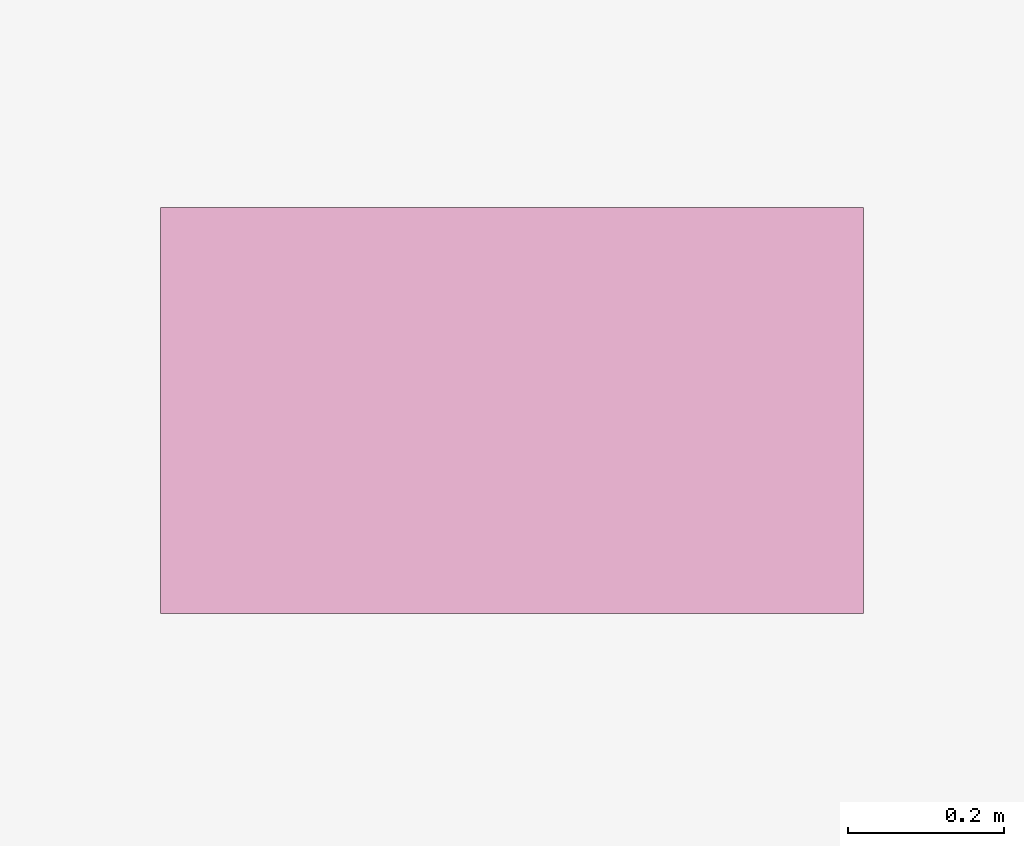
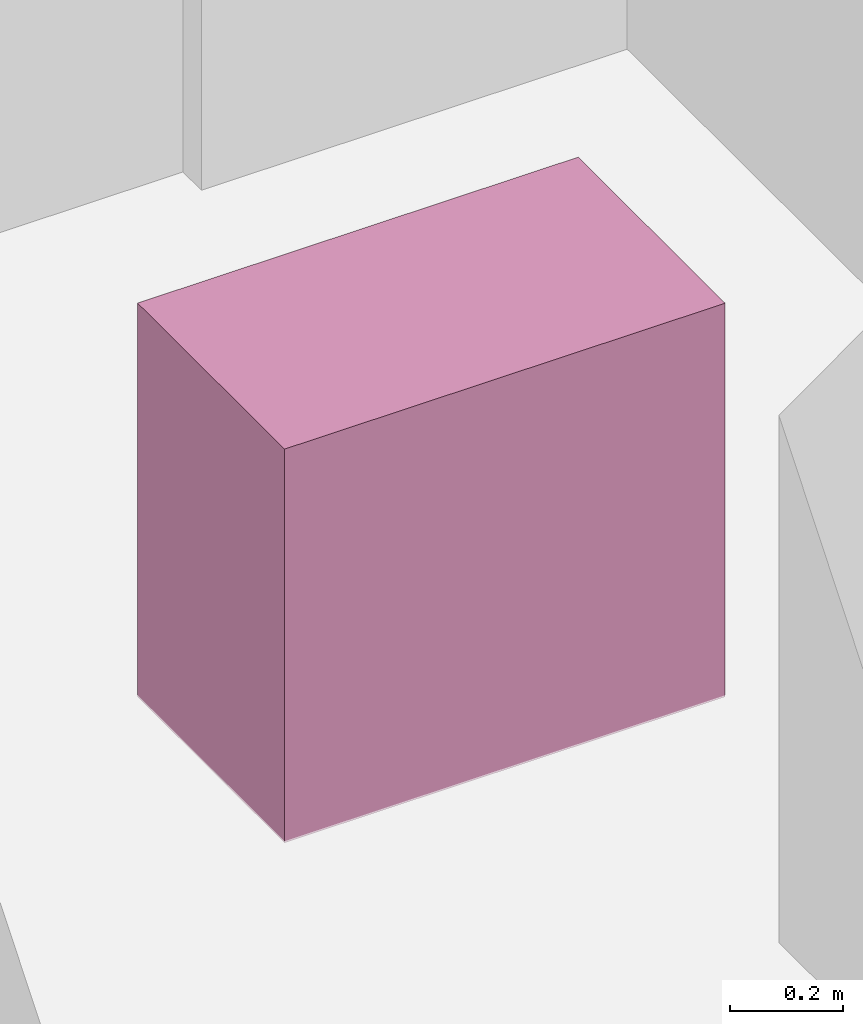
# One storey, part 28 of 28: 1 furnishing.
"""IFC4 building model written with IfcOpenShell, lengths in metres."""

from ifc_helpers import new_model, si_unit, direction, frame, origin, origin_2d, place, context, subcontext, project, spatial, rectangle, extrude, material, type_object, element, save


model = new_model("IFC4")

# Units and contexts
model_context = context("Model", 3, precision=1e-05, world=origin(), true_north=direction((0.0, 1.0)))
body_context = subcontext(model_context, "Body", "Model", "MODEL_VIEW")
ifc_project = project(units=[si_unit("LENGTHUNIT", "METRE"), si_unit("AREAUNIT", "SQUARE_METRE"), si_unit("VOLUMEUNIT", "CUBIC_METRE"), si_unit("PLANEANGLEUNIT", "RADIAN"), si_unit("MASSUNIT", "GRAM", prefix="KILO")], contexts=[model_context])

# Site, building, storey
site_placement = place(None, origin())
site = spatial("IfcSite", under=ifc_project, at=site_placement, CompositionType="ELEMENT")
building_placement = place(site_placement, origin())
building = spatial("IfcBuilding", under=site, at=building_placement, Name="Vorneva Point Tower", CompositionType="ELEMENT")
storey_placement = place(building_placement, frame((0.0, 0.0, 143.10009765625)))
storey = spatial("IfcBuildingStorey", under=building, at=storey_placement, Name="L38", CompositionType="ELEMENT", Elevation=143.10009765625)

# Furnishing
ifc_material = material(Name="Vitreous china and granite top", Category="masonry")
furniture_type = type_object("IfcFurnitureType", Name="FUR-VAN-900", AssemblyPlace="NOTDEFINED", PredefinedType="NOTDEFINED", material=ifc_material)
furnishing_placement = place(storey_placement, frame((34.85009765625, 32.1201171875, -0.005126953125), z_axis=(0.0, 0.0, 1.0), x_axis=(1.0, 0.0, 0.0)))
element("IfcFurnishingElement", 1, at=furnishing_placement, inside=storey, type_object=furniture_type, Name="L38 Public Male WC Vanity Unit", ObjectType="L38 Public Male WC Vanity Unit", context=body_context, shape_type="SweptSolid", body=[
    extrude(rectangle(XDim=0.89990234375, YDim=0.52001953125, at=origin_2d()), origin(), (0.0, 0.0, 1.0), 0.85009765625),
])

save(model, "model.ifc")
